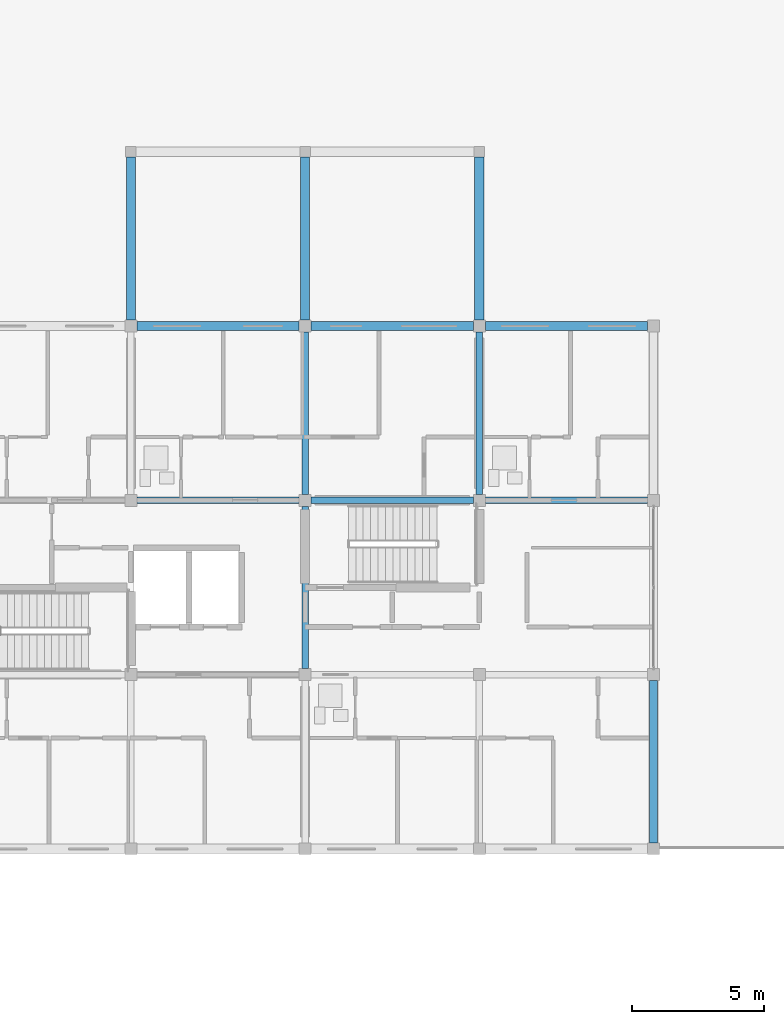
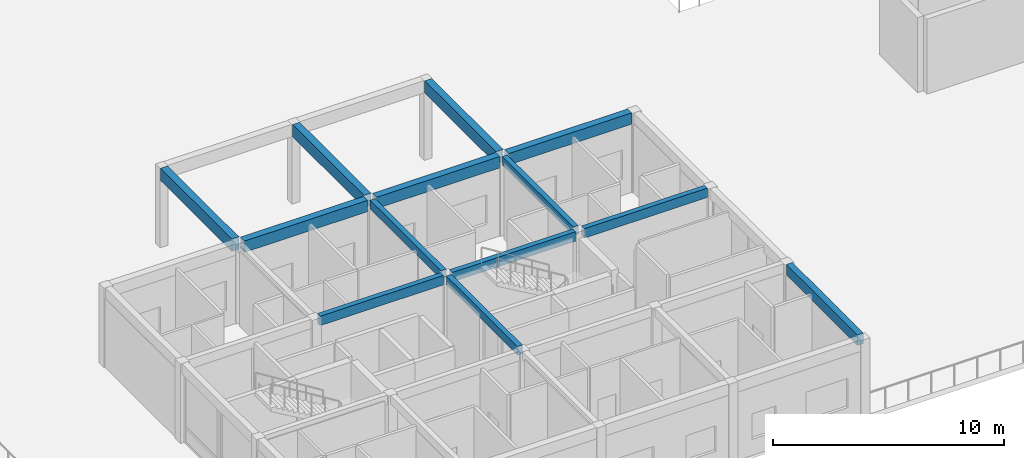
# One storey, part 14 of 92: 13 beams.
"""IFC4 building model written with IfcOpenShell, lengths in metres."""

from ifc_helpers import new_model, si_unit, direction, frame, origin, origin_2d, place, context, subcontext, project, spatial, rectangle, extrude, material, material_profile, profile_set, type_object, element, save


model = new_model("IFC4")

# Units and contexts
model_context = context("Model", 3, precision=1e-05, world=origin(), true_north=direction((0.0, 1.0)))
body_context = subcontext(model_context, "Body", "Model", "MODEL_VIEW")
ifc_project = project(units=[si_unit("LENGTHUNIT", "METRE"), si_unit("AREAUNIT", "SQUARE_METRE"), si_unit("VOLUMEUNIT", "CUBIC_METRE"), si_unit("PLANEANGLEUNIT", "RADIAN"), si_unit("MASSUNIT", "GRAM", prefix="KILO")], contexts=[model_context])

# Site, building, storey
site_placement = place(None, origin())
site = spatial("IfcSite", under=ifc_project, at=site_placement, CompositionType="ELEMENT")
building_placement = place(site_placement, origin())
building = spatial("IfcBuilding", under=site, at=building_placement, Name="Kernevlak Ridge Housing Community", CompositionType="ELEMENT")
storey_placement = place(building_placement, frame((0.0, 0.0, 4.199951171875)))
storey = spatial("IfcBuildingStorey", under=building, at=storey_placement, Name="L01", CompositionType="ELEMENT", Elevation=4.199951171875)

# Beams
ifc_material = material(Name="Concrete C35/45", Category="concrete")
ifc_material_profile_1 = material_profile(ifc_material, rectangle(XDim=0.35009765625, YDim=0.64990234375, at=origin_2d()), Name="RC 350x650")
ifc_profile_set_1 = profile_set([ifc_material_profile_1], Name="Concrete C35/45")
beam_type_1 = type_object("IfcBeamType", Name="B-02", PredefinedType="BEAM", material=ifc_profile_set_1)
for number, where, z_axis, x_axis, name in (
    (1, (22.199951171875, 35.625, 3.875), (0.0, 1.0, 0.0), (-1.0, 0.0, 0.0), "Beam B-02 L01 2438"),
    (2, (28.800048828125, 35.625, 3.875), (0.0, 1.0, 0.0), (-1.0, 0.0, 0.0), "Beam B-02 L01 2440"),
    (3, (35.39990234375, 35.625, 3.875), (0.0, 1.0, 0.0), (-1.0, 0.0, 0.0), "Beam B-02 L01 2442"),
):
    element("IfcBeam", number, at=place(storey_placement, frame(where, z_axis=z_axis, x_axis=x_axis)), inside=storey, type_object=beam_type_1, Name=name, PredefinedType="BEAM", context=body_context, shape_type="SweptSolid", body=[
        extrude(rectangle(XDim=0.35009765625, YDim=0.64990234375, at=origin_2d()), origin(), (0.0, 0.0, 1.0), 6.175048828125),
    ])
ifc_material_profile_2 = material_profile(ifc_material, rectangle(XDim=0.25, YDim=0.449951171875, at=origin_2d()), Name="RC 250x450")
ifc_profile_set_2 = profile_set([ifc_material_profile_2], Name="Concrete C35/45")
beam_type_2 = type_object("IfcBeamType", Name="B-04", PredefinedType="T_BEAM", material=ifc_profile_set_2)
beam_1_placement = place(storey_placement, frame((28.800048828125, 22.425048828125, 3.97509765625), z_axis=(0.0, 1.0, 0.0), x_axis=(-1.0, 0.0, 0.0)))
element("IfcBeam", 4, at=beam_1_placement, inside=storey, type_object=beam_type_2, Name="Beam B-04 L01 1359", PredefinedType="T_BEAM", context=body_context, shape_type="SweptSolid", body=[
    extrude(rectangle(XDim=0.25, YDim=0.449951171875, at=origin_2d()), origin(), (0.0, 0.0, 1.0), 6.14990234375),
])
for number, where, z_axis, x_axis, name in (
    (5, (28.800048828125, 29.02490234375, 3.97509765625), (0.0, 1.0, 0.0), (-1.0, 0.0, 0.0), "Beam B-04 L01 1360"),
    (6, (35.39990234375, 29.02490234375, 3.97509765625), (0.0, 1.0, 0.0), (-1.0, 0.0, 0.0), "Beam B-04 L01 1362"),
):
    element("IfcBeam", number, at=place(storey_placement, frame(where, z_axis=z_axis, x_axis=x_axis)), inside=storey, type_object=beam_type_2, Name=name, PredefinedType="T_BEAM", context=body_context, shape_type="SweptSolid", body=[
        extrude(rectangle(XDim=0.25, YDim=0.449951171875, at=origin_2d()), origin(), (0.0, 0.0, 1.0), 6.150146484375),
    ])
ifc_material_profile_3 = material_profile(ifc_material, rectangle(XDim=0.25, YDim=0.5, at=origin_2d()), Name="RC 250x500")
ifc_profile_set_3 = profile_set([ifc_material_profile_3], Name="Concrete C35/45")
beam_type_3 = type_object("IfcBeamType", Name="B-06", PredefinedType="T_BEAM", material=ifc_profile_set_3)
beam_2_placement = place(storey_placement, frame((22.425048828125, 28.800048828125, 3.949951171875), z_axis=(1.0, 0.0, 0.0), x_axis=(0.0, 1.0, 0.0)))
element("IfcBeam", 7, at=beam_2_placement, inside=storey, type_object=beam_type_3, Name="Beam B-06 L01 1346", PredefinedType="T_BEAM", context=body_context, shape_type="SweptSolid", body=[
    extrude(rectangle(XDim=0.25, YDim=0.5, at=origin_2d()), origin(), (0.0, 0.0, 1.0), 6.14990234375),
])
beam_3_placement = place(storey_placement, frame((29.02490234375, 28.800048828125, 3.949951171875), z_axis=(1.0, 0.0, 0.0), x_axis=(0.0, 1.0, 0.0)))
element("IfcBeam", 8, at=beam_3_placement, inside=storey, type_object=beam_type_3, Name="Beam B-06 L01 1347", PredefinedType="T_BEAM", context=body_context, shape_type="SweptSolid", body=[
    extrude(rectangle(XDim=0.25, YDim=0.5, at=origin_2d()), origin(), (0.0, 0.0, 1.0), 6.150146484375),
])
beam_4_placement = place(storey_placement, frame((35.625, 28.800048828125, 3.949951171875), z_axis=(1.0, 0.0, 0.0), x_axis=(0.0, 1.0, 0.0)))
element("IfcBeam", 9, at=beam_4_placement, inside=storey, type_object=beam_type_3, Name="Beam B-06 L01 1348", PredefinedType="T_BEAM", context=body_context, shape_type="SweptSolid", body=[
    extrude(rectangle(XDim=0.25, YDim=0.5, at=origin_2d()), origin(), (0.0, 0.0, 1.0), 6.14990234375),
])
ifc_material_profile_4 = material_profile(ifc_material, rectangle(XDim=0.300048828125, YDim=0.550048828125, at=origin_2d()), Name="RC 300x550")
ifc_profile_set_4 = profile_set([ifc_material_profile_4], Name="Concrete C35/45")
beam_type_4 = type_object("IfcBeamType", Name="SP-01", PredefinedType="SPANDREL", material=ifc_profile_set_4)
beam_5_placement = place(storey_placement, frame((42.0, 15.824951171875, 3.925048828125), z_axis=(0.0, 1.0, 0.0), x_axis=(-1.0, 0.0, 0.0)))
element("IfcBeam", 10, at=beam_5_placement, inside=storey, type_object=beam_type_4, Name="Beam SP-01 L01 1363", PredefinedType="SPANDREL", context=body_context, shape_type="SweptSolid", body=[
    extrude(rectangle(XDim=0.300048828125, YDim=0.550048828125, at=origin_2d()), origin(), (0.0, 0.0, 1.0), 6.150146484375),
])
ifc_material_profile_5 = material_profile(ifc_material, rectangle(XDim=0.35009765625, YDim=0.60009765625, at=origin_2d()), Name="RC 350x600")
ifc_profile_set_5 = profile_set([ifc_material_profile_5], Name="Concrete C35/45")
beam_type_5 = type_object("IfcBeamType", Name="SP-03", PredefinedType="SPANDREL", material=ifc_profile_set_5)
beam_6_placement = place(storey_placement, frame((22.425048828125, 35.39990234375, 3.900146484375), z_axis=(1.0, 0.0, 0.0), x_axis=(0.0, 1.0, 0.0)))
element("IfcBeam", 11, at=beam_6_placement, inside=storey, type_object=beam_type_5, Name="Beam SP-03 L01 1350", PredefinedType="SPANDREL", context=body_context, shape_type="SweptSolid", body=[
    extrude(rectangle(XDim=0.35009765625, YDim=0.60009765625, at=origin_2d()), origin(), (0.0, 0.0, 1.0), 6.14990234375),
])
beam_7_placement = place(storey_placement, frame((29.02490234375, 35.39990234375, 3.900146484375), z_axis=(1.0, 0.0, 0.0), x_axis=(0.0, 1.0, 0.0)))
element("IfcBeam", 12, at=beam_7_placement, inside=storey, type_object=beam_type_5, Name="Beam SP-03 L01 1351", PredefinedType="SPANDREL", context=body_context, shape_type="SweptSolid", body=[
    extrude(rectangle(XDim=0.35009765625, YDim=0.60009765625, at=origin_2d()), origin(), (0.0, 0.0, 1.0), 6.150146484375),
])
beam_8_placement = place(storey_placement, frame((35.625, 35.39990234375, 3.900146484375), z_axis=(1.0, 0.0, 0.0), x_axis=(0.0, 1.0, 0.0)))
element("IfcBeam", 13, at=beam_8_placement, inside=storey, type_object=beam_type_5, Name="Beam SP-03 L01 1352", PredefinedType="SPANDREL", context=body_context, shape_type="SweptSolid", body=[
    extrude(rectangle(XDim=0.35009765625, YDim=0.60009765625, at=origin_2d()), origin(), (0.0, 0.0, 1.0), 6.14990234375),
])

save(model, "model.ifc")
